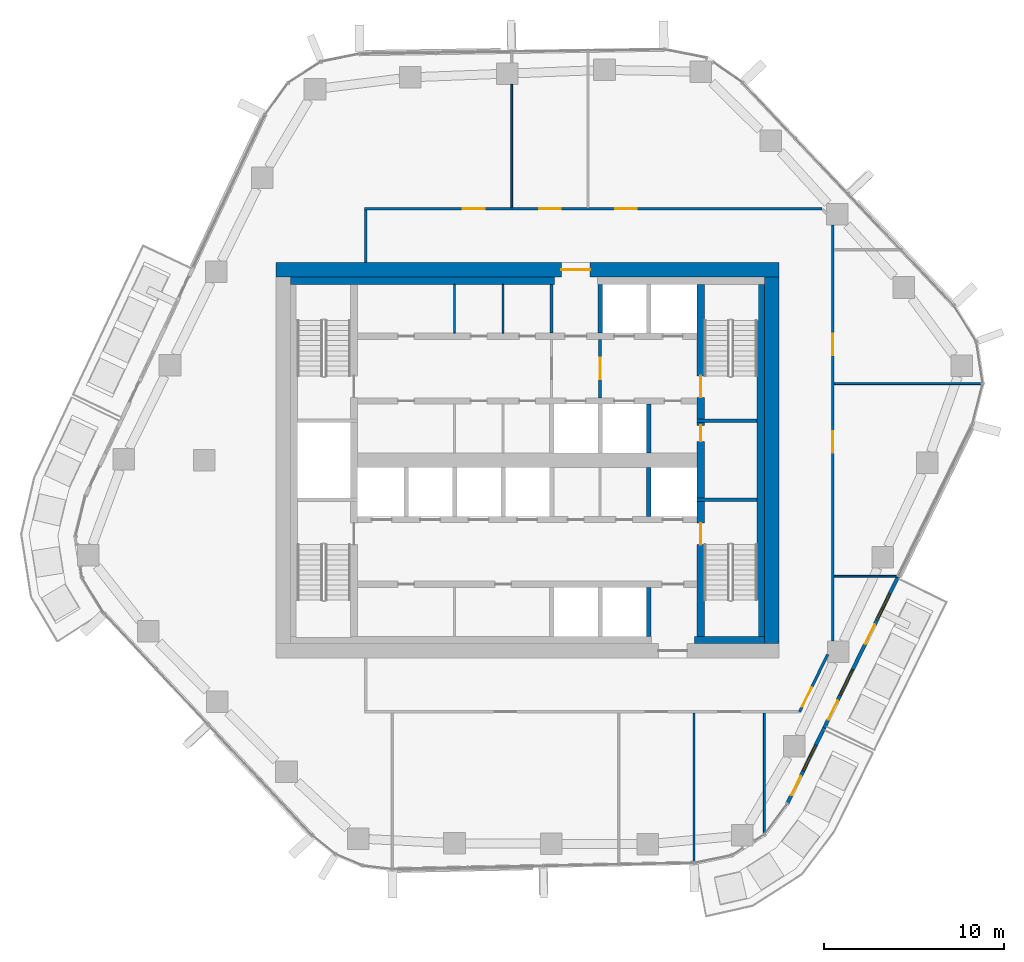
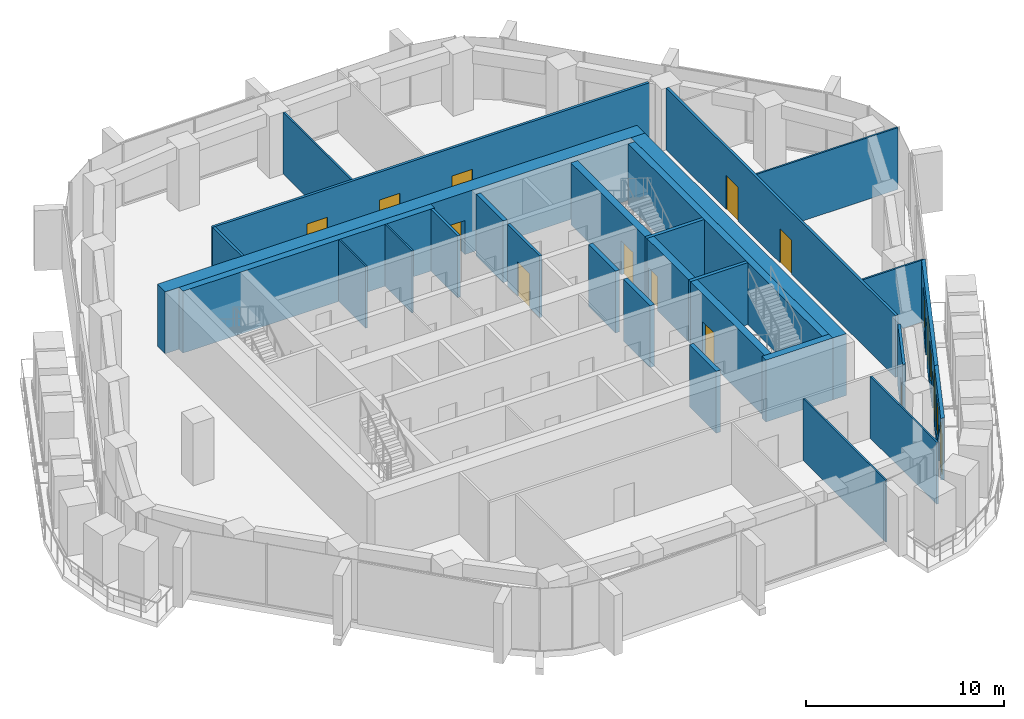
# One storey, part 13 of 18: 29 walls, 14 doors, 3 windows, 17 openings.
"""IFC4 building model written with IfcOpenShell, lengths in metres."""

import ifcopenshell
import ifcopenshell.guid

model = None  # the IFC model being written
_history = None  # IfcOwnerHistory: only IFC2X3 demands one
_inside = {}  # id of a spatial element -> (the spatial element, [elements in it])
_under = {}  # id of a project, library or spatial element -> (it, [spatial elements below it])
_declared = {}  # id of a project -> (the project, [libraries it declares])
_typed = {}  # id of a type object -> (the type object, [elements of that type])
_made_of = {}  # id of a material, layer set ... -> (it, [elements and type objects made of it])


def new_model(schema):
    """Start an empty IFC model of exactly this schema.

    Asked for "IFC4X3", IfcOpenShell would pick the latest addendum, in which some entities
    have other attributes; the version numbers below select the first issue.
    IFC2X3 requires an IfcOwnerHistory on every rooted entity: one is made here for all.
    """
    global model, _history
    if schema == "IFC4X3":
        model = ifcopenshell.file(schema_version=(4, 3, 0, 0))
    else:
        model = ifcopenshell.file(schema=schema)
    _inside.clear()
    _under.clear()
    _declared.clear()
    _typed.clear()
    _made_of.clear()
    _history = None
    if model.schema == "IFC2X3":
        org = make("IfcOrganization", Name="unknown")
        user = make(
            "IfcPersonAndOrganization",
            ThePerson=make("IfcPerson", FamilyName="unknown"),
            TheOrganization=org,
        )
        app = make(
            "IfcApplication",
            ApplicationDeveloper=org,
            Version="unknown",
            ApplicationFullName="unknown",
            ApplicationIdentifier="unknown",
        )
        _history = make(
            "IfcOwnerHistory",
            OwningUser=user,
            OwningApplication=app,
            ChangeAction="ADDED",
            CreationDate=0,
        )
    return model


def make(cls, **values):
    """One entity of the class cls with the attributes given. An attribute that is None is left unset."""
    return model.create_entity(
        cls, **{name: value for name, value in values.items() if value is not None}
    )


def rooted(cls, **values):
    """An entity with a GlobalId (a new one), such as an element, a storey or a relation."""
    return make(cls, GlobalId=ifcopenshell.guid.new(), OwnerHistory=_history, **values)


def si_unit(unit_type, name, prefix=None):
    """IfcSIUnit, for example si_unit("LENGTHUNIT", "METRE", prefix="MILLI")."""
    return make("IfcSIUnit", UnitType=unit_type, Prefix=prefix, Name=name)


def assignment(units):
    """IfcUnitAssignment: the units of a project."""
    return None if units is None else make("IfcUnitAssignment", Units=units)


def point(xyz):
    """IfcCartesianPoint."""
    return None if xyz is None else make("IfcCartesianPoint", Coordinates=xyz)


def direction(xyz):
    """IfcDirection."""
    return None if xyz is None else make("IfcDirection", DirectionRatios=xyz)


def frame(location, z_axis=None, x_axis=None):
    """IfcAxis2Placement3D, a coordinate frame: its origin and axes. An axis left out is left unset."""
    return make(
        "IfcAxis2Placement3D",
        Location=point(location),
        Axis=direction(z_axis),
        RefDirection=direction(x_axis),
    )


def frame_2d(location, x_axis=None):
    """IfcAxis2Placement2D, a coordinate frame in the plane: its origin and x axis."""
    return make(
        "IfcAxis2Placement2D", Location=point(location), RefDirection=direction(x_axis)
    )


def origin():
    """The frame at (0, 0, 0) with its axes left unset."""
    return frame((0.0, 0.0, 0.0))


def place(relative_to, where):
    """IfcLocalPlacement: puts the frame where relative to a parent placement (None: the world)."""
    return make(
        "IfcLocalPlacement", PlacementRelTo=relative_to, RelativePlacement=where
    )


def context(
    kind, dimensions, precision=None, world=None, true_north=None, identifier=None
):
    """IfcGeometricRepresentationContext, for example the 3D "Model" context."""
    return make(
        "IfcGeometricRepresentationContext",
        ContextIdentifier=identifier,
        ContextType=kind,
        CoordinateSpaceDimension=dimensions,
        Precision=precision,
        WorldCoordinateSystem=world,
        TrueNorth=true_north,
    )


def subcontext(parent, identifier, kind, view, scale=None):
    """IfcGeometricRepresentationSubContext, for example "Body" below "Model"."""
    return make(
        "IfcGeometricRepresentationSubContext",
        ContextIdentifier=identifier,
        ContextType=kind,
        ParentContext=parent,
        TargetScale=scale,
        TargetView=view,
    )


def project(units=None, contexts=None):
    """IfcProject with its units and contexts."""
    return rooted(
        "IfcProject",
        Name="project",
        RepresentationContexts=contexts,
        UnitsInContext=assignment(units),
    )


def spatial(cls, under=None, at=None, **own):
    """A site, building, storey or space (cls), placed at a placement, below another one or the project."""
    s = rooted(cls, ObjectPlacement=at, **own)
    if under is not None:
        _under.setdefault(under.id(), (under, []))[1].append(s)
    return s


def profile(cls, at=None, kind="AREA", **sizes):
    """A parametric profile (cls). Its sizes go by their IFC names, for example OverallWidth=200.0."""
    return make(cls, ProfileType=kind, Position=at, **sizes)


def rectangle(**sizes):
    """IfcRectangleProfileDef."""
    return profile("IfcRectangleProfileDef", **sizes)


def extrude(swept, where, along, depth):
    """IfcExtrudedAreaSolid: the profile swept, set in the frame where, extruded along a direction by depth."""
    return make(
        "IfcExtrudedAreaSolid",
        SweptArea=swept,
        Position=where,
        ExtrudedDirection=direction(along),
        Depth=depth,
    )


def shape(context_of_items, identifier, shape_type, items):
    """IfcShapeRepresentation: the items that make up one representation, for example the "Body"."""
    return make(
        "IfcShapeRepresentation",
        ContextOfItems=context_of_items,
        RepresentationIdentifier=identifier,
        RepresentationType=shape_type,
        Items=items,
    )


def material(Name=None, Category=None):
    """IfcMaterial."""
    return make("IfcMaterial", Name=Name, Category=Category)


def layer(
    of_material, thickness, ventilated=None, Name=None, Category=None, Priority=None
):
    """IfcMaterialLayer: one layer of a wall or slab, of a material (None: an air gap)."""
    return make(
        "IfcMaterialLayer",
        Material=of_material,
        LayerThickness=thickness,
        IsVentilated=ventilated,
        Name=Name,
        Category=Category,
        Priority=Priority,
    )


def layer_set(layers, Name=None):
    """IfcMaterialLayerSet."""
    return make("IfcMaterialLayerSet", MaterialLayers=layers, LayerSetName=Name)


def made_of(thing, what):
    """Note that an element or type object is made of a material, layer set ...; save() writes the relation."""
    if what is not None:
        _made_of.setdefault(what.id(), (what, []))[1].append(thing)
    return thing


def type_object(cls, material=None, **own):
    """A type object (cls), such as IfcWallType, which elements share."""
    return made_of(rooted(cls, **own), material)


def element(
    cls,
    number,
    at=None,
    inside=None,
    cuts=None,
    type_object=None,
    material=None,
    context=None,
    identifier="Body",
    shape_type=None,
    held_by="IfcProductDefinitionShape",
    body=None,
    shapes=None,
    **own,
):
    """One element of the class cls, such as IfcWall. Its Tag is "e" and its number.

    at: its placement. inside: the storey or other place that contains it. cuts: it is an
    opening in that element (IfcRelVoidsElement). A single representation is given by context,
    identifier, shape_type and body (its items); several are given by shapes. held_by: the class
    of the entity that holds the representations. save() writes the other relations.
    """
    e = rooted(cls, Tag="e%d" % number, ObjectPlacement=at, **own)
    if body is not None:
        shapes = [shape(context, identifier, shape_type, body)]
    if shapes is not None:
        e.Representation = make(held_by, Representations=shapes)
    if inside is not None:
        _inside.setdefault(inside.id(), (inside, []))[1].append(e)
    if cuts is not None:
        rooted(
            "IfcRelVoidsElement", RelatingBuildingElement=cuts, RelatedOpeningElement=e
        )
    if type_object is not None:
        _typed.setdefault(type_object.id(), (type_object, []))[1].append(e)
    return made_of(e, material)


def fill(opening, filler):
    """IfcRelFillsElement: the door or window that sits in an opening."""
    return rooted(
        "IfcRelFillsElement",
        RelatingOpeningElement=opening,
        RelatedBuildingElement=filler,
    )


def aggregate(whole, parts):
    """IfcRelAggregates: a whole, such as a stair, and the parts it consists of."""
    return rooted("IfcRelAggregates", RelatingObject=whole, RelatedObjects=parts)


def save(model, path):
    """Write the relations noted so far, then the file.

    IfcRelAggregates (storeys below a building ...), IfcRelContainedInSpatialStructure (elements
    in a storey), IfcRelDefinesByType, IfcRelAssociatesMaterial and IfcRelDeclares: one each for
    every whole, place, type object, material and project.
    """
    for whole, parts in _under.values():
        aggregate(whole, parts)
    for where, things in _inside.values():
        rooted(
            "IfcRelContainedInSpatialStructure",
            RelatedElements=things,
            RelatingStructure=where,
        )
    for kind, things in _typed.values():
        rooted("IfcRelDefinesByType", RelatedObjects=things, RelatingType=kind)
    for what, things in _made_of.values():
        rooted("IfcRelAssociatesMaterial", RelatedObjects=things, RelatingMaterial=what)
    for by, libraries in _declared.values():
        rooted("IfcRelDeclares", RelatingContext=by, RelatedDefinitions=libraries)
    model.write(path)


model = new_model("IFC4")

# Units and contexts
model_context = context("Model", 3, precision=1e-05, world=origin(), true_north=direction((0.0, 1.0)))
body_context = subcontext(model_context, "Body", "Model", "MODEL_VIEW")
ifc_project = project(units=[si_unit("LENGTHUNIT", "METRE"), si_unit("AREAUNIT", "SQUARE_METRE"), si_unit("VOLUMEUNIT", "CUBIC_METRE"), si_unit("PLANEANGLEUNIT", "RADIAN"), si_unit("MASSUNIT", "GRAM", prefix="KILO")], contexts=[model_context])

# Site, building, storey
site_placement = place(None, origin())
site = spatial("IfcSite", under=ifc_project, at=site_placement, CompositionType="ELEMENT")
building_placement = place(site_placement, origin())
building = spatial("IfcBuilding", under=site, at=building_placement, Name="Dongbaek Canopy Tower", CompositionType="ELEMENT")
storey_placement = place(building_placement, frame((0.0, 0.0, 162.800048828125)))
storey = spatial("IfcBuildingStorey", under=building, at=storey_placement, Name="L35", CompositionType="ELEMENT", Elevation=162.800048828125)

# Wall, opening, door
ifc_material_1 = material(Name="Concrete C70/85", Category="concrete")
ifc_layer_1 = layer(ifc_material_1, 0.800048828125)
ifc_layer_set_1 = layer_set([ifc_layer_1], Name="Core outer wall 800 Concrete C70/85")
wall_type_1 = type_object("IfcWallType", Name="Core outer wall 800 Concrete C70/85", PredefinedType="SHEAR", material=ifc_layer_set_1)
wall_1_placement = place(storey_placement, frame((-14.0, 10.60009765625, 0.0), z_axis=(0.0, 0.0, 1.0), x_axis=(1.0, 0.0, 0.0)))
wall_1 = element("IfcWall", 1, at=wall_1_placement, inside=storey, type_object=wall_type_1, Name="Core wall", PredefinedType="SHEAR", context=body_context, shape_type="SweptSolid", body=[
    extrude(rectangle(XDim=28.0, YDim=0.800048828125, at=frame_2d((14.0, 0.0))), origin(), (0.0, 0.0, 1.0), 3.820068359375),
])
opening_1_placement = place(wall_1_placement, frame((15.89990234375, 0.0, 0.0)))
opening_1 = element("IfcOpeningElement", 2, at=opening_1_placement, cuts=wall_1, Name="Opening L35-D011", PredefinedType="OPENING", context=body_context, shape_type="SweptSolid", body=[
    extrude(rectangle(XDim=1.60009765625, YDim=2.10009765625, at=frame_2d((0.800048828125, 1.050048828125))), frame((0.0, 0.409912109375, 0.0), z_axis=(0.0, -1.0, 0.0), x_axis=(1.0, 0.0, 0.0)), (0.0, 0.0, 1.0), 0.820068359375),
])
ifc_material_2 = material(Name="Steel", Category="steel")
door_type_1 = type_object("IfcDoorType", Name="Core exit door 1600 x 2100", OperationType="DOUBLE_DOOR_SINGLE_SWING", PredefinedType="DOOR", material=ifc_material_2)
door_1_placement = place(opening_1_placement, origin())
door_1 = element("IfcDoor", 3, at=door_1_placement, inside=storey, type_object=door_type_1, Name="Core exit door", OperationType="DOUBLE_DOOR_SINGLE_SWING", OverallHeight=2.10009765625, OverallWidth=1.60009765625, PredefinedType="DOOR", context=body_context, shape_type="SweptSolid", body=[
    extrude(rectangle(XDim=1.60009765625, YDim=2.10009765625, at=frame_2d((0.800048828125, 1.050048828125))), frame((0.0, 0.02490234375, 0.0), z_axis=(0.0, -1.0, 0.0), x_axis=(1.0, 0.0, 0.0)), (0.0, 0.0, 1.0), 0.050048828125),
])
fill(opening_1, door_1)

# Walls
wall_2_placement = place(storey_placement, frame((13.60009765625, 10.199951171875, 0.0), z_axis=(0.0, 0.0, 1.0), x_axis=(0.0, -1.0, 0.0)))
element("IfcWall", 4, at=wall_2_placement, inside=storey, type_object=wall_type_1, Name="Core wall", PredefinedType="SHEAR", context=body_context, shape_type="SweptSolid", body=[
    extrude(rectangle(XDim=20.39990234375, YDim=0.800048828125, at=frame_2d((10.199951171875, 0.0))), origin(), (0.0, 0.0, 1.0), 3.820068359375),
])
ifc_material_3 = material(Name="Concrete C60/75", Category="concrete")
ifc_layer_2 = layer(ifc_material_3, 0.39990234375)
ifc_layer_set_2 = layer_set([ifc_layer_2], Name="Core wall lining 400 Concrete C60/75")
wall_type_2 = type_object("IfcWallType", Name="Core wall lining 400 Concrete C60/75", PredefinedType="SHEAR", material=ifc_layer_set_2)
wall_3_placement = place(storey_placement, frame((-13.199951171875, 10.0, 0.0), z_axis=(0.0, 0.0, 1.0), x_axis=(1.0, 0.0, 0.0)))
element("IfcWall", 5, at=wall_3_placement, inside=storey, type_object=wall_type_2, Name="Core wall lining", PredefinedType="SHEAR", context=body_context, shape_type="SweptSolid", body=[
    extrude(rectangle(XDim=14.699951171875, YDim=0.39990234375, at=frame_2d((7.35009765625, 0.0))), origin(), (0.0, 0.0, 1.0), 3.820068359375),
])
wall_4_placement = place(storey_placement, frame((13.199951171875, -10.0, 0.0), z_axis=(0.0, 0.0, 1.0), x_axis=(-1.0, 0.0, 0.0)))
element("IfcWall", 6, at=wall_4_placement, inside=storey, type_object=wall_type_2, Name="Core wall lining", PredefinedType="SHEAR", context=body_context, shape_type="SweptSolid", body=[
    extrude(rectangle(XDim=3.89990234375, YDim=0.39990234375, at=frame_2d((1.949951171875, 0.0))), origin(), (0.0, 0.0, 1.0), 3.820068359375),
])
wall_5_placement = place(storey_placement, frame((13.0, 9.800048828125, 0.0), z_axis=(0.0, 0.0, 1.0), x_axis=(0.0, -1.0, 0.0)))
element("IfcWall", 7, at=wall_5_placement, inside=storey, type_object=wall_type_2, Name="Core wall lining", PredefinedType="SHEAR", context=body_context, shape_type="SweptSolid", body=[
    extrude(rectangle(XDim=19.60009765625, YDim=0.39990234375, at=frame_2d((9.800048828125, 0.0))), origin(), (0.0, 0.0, 1.0), 3.820068359375),
])

# Wall, openings, doors
ifc_material_4 = material(Name="Gypsum board partition, steel stud, 2 x 15 mm fire board", Category="steel")
ifc_layer_3 = layer(ifc_material_4, 0.14990234375)
ifc_layer_set_3 = layer_set([ifc_layer_3], Name="Fire-rated partition 150 gypsum board")
wall_type_3 = type_object("IfcWallType", Name="Fire-rated partition 150 gypsum board", PredefinedType="PARTITIONING", material=ifc_layer_set_3)
wall_6_placement = place(storey_placement, frame((-9.074951171875, 14.0, 0.0), z_axis=(0.0, 0.0, 1.0), x_axis=(1.0, 0.0, 0.0)))
wall_6 = element("IfcWall", 8, at=wall_6_placement, inside=storey, type_object=wall_type_3, Name="Corridor partition", PredefinedType="PARTITIONING", context=body_context, shape_type="SweptSolid", body=[
    extrude(rectangle(XDim=25.489013671875, YDim=0.14990234375, at=frame_2d((12.74462890625, 0.0))), origin(), (0.0, 0.0, 1.0), 3.820068359375),
])
opening_2_placement = place(wall_6_placement, frame((13.965087890625, 0.0, 0.0)))
opening_2 = element("IfcOpeningElement", 9, at=opening_2_placement, cuts=wall_6, Name="Opening L35-D007", PredefinedType="OPENING", context=body_context, shape_type="SweptSolid", body=[
    extrude(rectangle(XDim=1.199951171875, YDim=2.10009765625, at=frame_2d((0.60009765625, 1.050048828125))), frame((0.0, 0.0849609375, 0.0), z_axis=(0.0, -1.0, 0.0), x_axis=(1.0, 0.0, 0.0)), (0.0, 0.0, 1.0), 0.169921875),
])
opening_3_placement = place(wall_6_placement, frame((9.73046875, 0.0, 0.0)))
opening_3 = element("IfcOpeningElement", 10, at=opening_3_placement, cuts=wall_6, Name="Opening L35-D008", PredefinedType="OPENING", context=body_context, shape_type="SweptSolid", body=[
    extrude(rectangle(XDim=1.199951171875, YDim=2.10009765625, at=frame_2d((0.60009765625, 1.050048828125))), frame((0.0, 0.0849609375, 0.0), z_axis=(0.0, -1.0, 0.0), x_axis=(1.0, 0.0, 0.0)), (0.0, 0.0, 1.0), 0.169921875),
])
opening_4_placement = place(wall_6_placement, frame((5.490478515625, 0.0, 0.0)))
opening_4 = element("IfcOpeningElement", 11, at=opening_4_placement, cuts=wall_6, Name="Opening L35-D009", PredefinedType="OPENING", context=body_context, shape_type="SweptSolid", body=[
    extrude(rectangle(XDim=1.199951171875, YDim=2.10009765625, at=frame_2d((0.60009765625, 1.050048828125))), frame((0.0, 0.0849609375, 0.0), z_axis=(0.0, -1.0, 0.0), x_axis=(1.0, 0.0, 0.0)), (0.0, 0.0, 1.0), 0.169921875),
])
ifc_material_5 = material(Name="Timber veneered door leaf", Category="wood")
door_type_2 = type_object("IfcDoorType", Name="Room door 1200 x 2100", OperationType="SINGLE_SWING_LEFT", PredefinedType="DOOR", material=ifc_material_5)
door_2_placement = place(opening_2_placement, origin())
door_2 = element("IfcDoor", 12, at=door_2_placement, inside=storey, type_object=door_type_2, Name="Door L35-D007", OperationType="SINGLE_SWING_RIGHT", OverallHeight=2.10009765625, OverallWidth=1.199951171875, PredefinedType="DOOR", context=body_context, shape_type="SweptSolid", body=[
    extrude(rectangle(XDim=1.199951171875, YDim=2.10009765625, at=frame_2d((0.60009765625, 1.050048828125))), frame((0.0, 0.02490234375, 0.0), z_axis=(0.0, -1.0, 0.0), x_axis=(1.0, 0.0, 0.0)), (0.0, 0.0, 1.0), 0.050048828125),
])
fill(opening_2, door_2)
door_3_placement = place(opening_3_placement, origin())
door_3 = element("IfcDoor", 13, at=door_3_placement, inside=storey, type_object=door_type_2, Name="Door L35-D008", OperationType="SINGLE_SWING_LEFT", OverallHeight=2.10009765625, OverallWidth=1.199951171875, PredefinedType="DOOR", context=body_context, shape_type="SweptSolid", body=[
    extrude(rectangle(XDim=1.199951171875, YDim=2.10009765625, at=frame_2d((0.60009765625, 1.050048828125))), frame((0.0, 0.02490234375, 0.0), z_axis=(0.0, -1.0, 0.0), x_axis=(1.0, 0.0, 0.0)), (0.0, 0.0, 1.0), 0.050048828125),
])
fill(opening_3, door_3)
door_4_placement = place(opening_4_placement, origin())
door_4 = element("IfcDoor", 14, at=door_4_placement, inside=storey, type_object=door_type_2, Name="Door L35-D009", OperationType="SINGLE_SWING_RIGHT", OverallHeight=2.10009765625, OverallWidth=1.199951171875, PredefinedType="DOOR", context=body_context, shape_type="SweptSolid", body=[
    extrude(rectangle(XDim=1.199951171875, YDim=2.10009765625, at=frame_2d((0.60009765625, 1.050048828125))), frame((0.0, 0.02490234375, 0.0), z_axis=(0.0, -1.0, 0.0), x_axis=(1.0, 0.0, 0.0)), (0.0, 0.0, 1.0), 0.050048828125),
])
fill(opening_4, door_4)

# Wall, opening, door
wall_7_placement = place(storey_placement, frame((16.721923828125, -10.809326171875, 0.0), z_axis=(0.0, 0.0, 1.0), x_axis=(-0.438666135365, -0.898650110824, 0.0)))
wall_7 = element("IfcWall", 15, at=wall_7_placement, inside=storey, type_object=wall_type_3, Name="Corridor partition", PredefinedType="PARTITIONING", context=body_context, shape_type="SweptSolid", body=[
    extrude(rectangle(XDim=3.55029296875, YDim=0.14990234375, at=frame_2d((1.775146484375, 0.0))), origin(), (0.0, 0.0, 1.0), 3.820068359375),
])
opening_5_placement = place(wall_7_placement, frame((2.038330078125, 0.0, 0.0)))
opening_5 = element("IfcOpeningElement", 16, at=opening_5_placement, cuts=wall_7, Name="Opening L35-D004", PredefinedType="OPENING", context=body_context, shape_type="SweptSolid", body=[
    extrude(rectangle(XDim=1.199951171875, YDim=2.10009765625, at=frame_2d((0.60009765625, 1.050048828125))), frame((0.0, 0.0849609375, 0.0), z_axis=(0.0, -1.0, 0.0), x_axis=(1.0, 0.0, 0.0)), (0.0, 0.0, 1.0), 0.169921875),
])
door_5_placement = place(opening_5_placement, origin())
door_5 = element("IfcDoor", 17, at=door_5_placement, inside=storey, type_object=door_type_2, Name="Door L35-D004", OperationType="SINGLE_SWING_LEFT", OverallHeight=2.10009765625, OverallWidth=1.199951171875, PredefinedType="DOOR", context=body_context, shape_type="SweptSolid", body=[
    extrude(rectangle(XDim=1.199951171875, YDim=2.10009765625, at=frame_2d((0.60009765625, 1.050048828125))), frame((0.0, 0.02490234375, 0.0), z_axis=(0.0, -1.0, 0.0), x_axis=(1.0, 0.0, 0.0)), (0.0, 0.0, 1.0), 0.050048828125),
])
fill(opening_5, door_5)

# Wall, openings, doors
wall_8_placement = place(storey_placement, frame((17.0, 13.10595703125, 0.0), z_axis=(0.0, 0.0, 1.0), x_axis=(0.0, -1.0, 0.0)))
wall_8 = element("IfcWall", 18, at=wall_8_placement, inside=storey, type_object=wall_type_3, Name="Corridor partition", PredefinedType="PARTITIONING", context=body_context, shape_type="SweptSolid", body=[
    extrude(rectangle(XDim=23.171875, YDim=0.14990234375, at=frame_2d((11.5859375, 0.0))), origin(), (0.0, 0.0, 1.0), 3.820068359375),
])
opening_6_placement = place(wall_8_placement, frame((11.491943359375, 0.0, 0.0)))
opening_6 = element("IfcOpeningElement", 19, at=opening_6_placement, cuts=wall_8, Name="Opening L35-D005", PredefinedType="OPENING", context=body_context, shape_type="SweptSolid", body=[
    extrude(rectangle(XDim=1.199951171875, YDim=2.10009765625, at=frame_2d((0.60009765625, 1.050048828125))), frame((0.0, 0.0849609375, 0.0), z_axis=(0.0, -1.0, 0.0), x_axis=(1.0, 0.0, 0.0)), (0.0, 0.0, 1.0), 0.169921875),
])
opening_7_placement = place(wall_8_placement, frame((6.056396484375, 0.0, 0.0)))
opening_7 = element("IfcOpeningElement", 20, at=opening_7_placement, cuts=wall_8, Name="Opening L35-D006", PredefinedType="OPENING", context=body_context, shape_type="SweptSolid", body=[
    extrude(rectangle(XDim=1.199951171875, YDim=2.10009765625, at=frame_2d((0.60009765625, 1.050048828125))), frame((0.0, 0.0849609375, 0.0), z_axis=(0.0, -1.0, 0.0), x_axis=(1.0, 0.0, 0.0)), (0.0, 0.0, 1.0), 0.169921875),
])
door_6_placement = place(opening_6_placement, origin())
door_6 = element("IfcDoor", 21, at=door_6_placement, inside=storey, type_object=door_type_2, Name="Door L35-D005", OperationType="SINGLE_SWING_RIGHT", OverallHeight=2.10009765625, OverallWidth=1.199951171875, PredefinedType="DOOR", context=body_context, shape_type="SweptSolid", body=[
    extrude(rectangle(XDim=1.199951171875, YDim=2.10009765625, at=frame_2d((0.60009765625, 1.050048828125))), frame((0.0, 0.02490234375, 0.0), z_axis=(0.0, -1.0, 0.0), x_axis=(1.0, 0.0, 0.0)), (0.0, 0.0, 1.0), 0.050048828125),
])
fill(opening_6, door_6)
door_7_placement = place(opening_7_placement, origin())
door_7 = element("IfcDoor", 22, at=door_7_placement, inside=storey, type_object=door_type_2, Name="Door L35-D006", OperationType="SINGLE_SWING_LEFT", OverallHeight=2.10009765625, OverallWidth=1.199951171875, PredefinedType="DOOR", context=body_context, shape_type="SweptSolid", body=[
    extrude(rectangle(XDim=1.199951171875, YDim=2.10009765625, at=frame_2d((0.60009765625, 1.050048828125))), frame((0.0, 0.02490234375, 0.0), z_axis=(0.0, -1.0, 0.0), x_axis=(1.0, 0.0, 0.0)), (0.0, 0.0, 1.0), 0.050048828125),
])
fill(opening_7, door_7)

# Wall
wall_9_placement = place(storey_placement, frame((-9.0, 11.0, 0.0), z_axis=(0.0, 0.0, 1.0), x_axis=(0.0, 1.0, 0.0)))
element("IfcWall", 23, at=wall_9_placement, inside=storey, type_object=wall_type_3, Name="Corridor partition", PredefinedType="PARTITIONING", context=body_context, shape_type="SweptSolid", body=[
    extrude(rectangle(XDim=2.925048828125, YDim=0.14990234375, at=frame_2d((1.46240234375, 0.0))), origin(), (0.0, 0.0, 1.0), 3.820068359375),
])

# Wall, opening, door
wall_10_placement = place(storey_placement, frame((4.050048828125, 6.72509765625, 0.0), z_axis=(0.0, 0.0, 1.0), x_axis=(0.0, -1.0, 0.0)))
wall_10 = element("IfcWall", 24, at=wall_10_placement, inside=storey, type_object=wall_type_3, Name="Fire lobby partition", PredefinedType="PARTITIONING", context=body_context, shape_type="SweptSolid", body=[
    extrude(rectangle(XDim=3.25, YDim=0.14990234375, at=frame_2d((1.625, 0.0))), origin(), (0.0, 0.0, 1.0), 3.820068359375),
])
opening_8_placement = place(wall_10_placement, frame((1.02490234375, 0.0, 0.0)))
opening_8 = element("IfcOpeningElement", 25, at=opening_8_placement, cuts=wall_10, Name="Opening L35-D040", PredefinedType="OPENING", context=body_context, shape_type="SweptSolid", body=[
    extrude(rectangle(XDim=1.199951171875, YDim=2.10009765625, at=frame_2d((0.60009765625, 1.050048828125))), frame((0.0, 0.0849609375, 0.0), z_axis=(0.0, -1.0, 0.0), x_axis=(1.0, 0.0, 0.0)), (0.0, 0.0, 1.0), 0.169921875),
])
ifc_material_6 = material(Name="Steel", Category="steel")
door_type_3 = type_object("IfcDoorType", Name="Fire lobby door 1200 x 2100", OperationType="SINGLE_SWING_LEFT", PredefinedType="DOOR", material=ifc_material_6)
door_8_placement = place(opening_8_placement, origin())
door_8 = element("IfcDoor", 26, at=door_8_placement, inside=storey, type_object=door_type_3, Name="Door L35-D040", OperationType="SINGLE_SWING_RIGHT", OverallHeight=2.10009765625, OverallWidth=1.199951171875, PredefinedType="DOOR", context=body_context, shape_type="SweptSolid", body=[
    extrude(rectangle(XDim=1.199951171875, YDim=2.10009765625, at=frame_2d((0.60009765625, 1.050048828125))), frame((0.0, 0.02490234375, 0.0), z_axis=(0.0, -1.0, 0.0), x_axis=(1.0, 0.0, 0.0)), (0.0, 0.0, 1.0), 0.050048828125),
])
fill(opening_8, door_8)

# Walls
wall_11_placement = place(storey_placement, frame((1.35009765625, 7.074951171875, 0.0), z_axis=(0.0, 0.0, 1.0), x_axis=(0.0, 1.0, 0.0)))
element("IfcWall", 27, at=wall_11_placement, inside=storey, type_object=wall_type_3, Name="Fire lobby partition", PredefinedType="PARTITIONING", context=body_context, shape_type="SweptSolid", body=[
    extrude(rectangle(XDim=2.72509765625, YDim=0.14990234375, at=frame_2d((1.362548828125, 0.0))), origin(), (0.0, 0.0, 1.0), 3.820068359375),
])
ifc_material_7 = material(Name="Concrete C40/50", Category="concrete")
ifc_layer_4 = layer(ifc_material_7, 0.25)
ifc_layer_set_4 = layer_set([ifc_layer_4], Name="Lift shaft wall 250 Concrete C40/50")
wall_type_4 = type_object("IfcWallType", Name="Lift shaft wall 250 Concrete C40/50", PredefinedType="SOLIDWALL", material=ifc_layer_set_4)
for number, where, z_axis, x_axis, name in (
    (28, (6.75, -9.800048828125, 0.0), (0.0, 0.0, 1.0), (0.0, 1.0, 0.0), "Lift shaft wall"),
    (29, (6.75, -3.125, 0.0), (0.0, 0.0, 1.0), (0.0, 1.0, 0.0), "Lift shaft wall"),
    (30, (6.75, 0.39990234375, 0.0), (0.0, 0.0, 1.0), (0.0, 1.0, 0.0), "Lift shaft wall"),
    (31, (4.050048828125, 7.074951171875, 0.0), (0.0, 0.0, 1.0), (0.0, 1.0, 0.0), "Lift shaft wall"),
):
    element("IfcWall", number, at=place(storey_placement, frame(where, z_axis=z_axis, x_axis=x_axis)), inside=storey, type_object=wall_type_4, Name=name, PredefinedType="SOLIDWALL", context=body_context, shape_type="SweptSolid", body=[
        extrude(rectangle(XDim=2.72509765625, YDim=0.25, at=frame_2d((1.362548828125, 0.0))), origin(), (0.0, 0.0, 1.0), 3.820068359375),
    ])
ifc_material_8 = material(Name="Gypsum board partition, steel stud, 2 x 12.5 mm board", Category="steel")
ifc_layer_5 = layer(ifc_material_8, 0.10009765625)
ifc_layer_set_5 = layer_set([ifc_layer_5], Name="Partition 100 gypsum board")
wall_type_5 = type_object("IfcWallType", Name="Partition 100 gypsum board", PredefinedType="PARTITIONING", material=ifc_layer_set_5)
wall_12_placement = place(storey_placement, frame((17.074951171875, -6.4580078125, 0.0), z_axis=(0.0, 0.0, 1.0), x_axis=(1.0, 0.0, 0.0)))
element("IfcWall", 32, at=wall_12_placement, inside=storey, type_object=wall_type_5, Name="Partition", PredefinedType="PARTITIONING", context=body_context, shape_type="SweptSolid", body=[
    extrude(rectangle(XDim=3.552001953125, YDim=0.10009765625, at=frame_2d((1.77587890625, 0.0))), origin(), (0.0, 0.0, 1.0), 3.820068359375),
])
wall_13_placement = place(storey_placement, frame((17.074951171875, 4.26904296875, 0.0), z_axis=(0.0, 0.0, 1.0), x_axis=(1.0, 0.0, 0.0)))
element("IfcWall", 33, at=wall_13_placement, inside=storey, type_object=wall_type_5, Name="Partition", PredefinedType="PARTITIONING", context=body_context, shape_type="SweptSolid", body=[
    extrude(rectangle(XDim=8.258544921875, YDim=0.10009765625, at=frame_2d((4.12939453125, 0.0))), origin(), (0.0, 0.0, 1.0), 3.820068359375),
])
wall_14_placement = place(storey_placement, frame((13.197998046875, -20.79638671875, 0.0), z_axis=(0.0, 0.0, 1.0), x_axis=(0.0, 1.0, 0.0)))
element("IfcWall", 34, at=wall_14_placement, inside=storey, type_object=wall_type_5, Name="Partition", PredefinedType="PARTITIONING", context=body_context, shape_type="SweptSolid", body=[
    extrude(rectangle(XDim=6.721435546875, YDim=0.10009765625, at=frame_2d((3.36083984375, 0.0))), origin(), (0.0, 0.0, 1.0), 3.820068359375),
])
wall_15_placement = place(storey_placement, frame((9.283935546875, -22.39794921875, 0.0), z_axis=(0.0, 0.0, 1.0), x_axis=(0.0, 1.0, 0.0)))
element("IfcWall", 35, at=wall_15_placement, inside=storey, type_object=wall_type_5, Name="Partition", PredefinedType="PARTITIONING", context=body_context, shape_type="SweptSolid", body=[
    extrude(rectangle(XDim=8.322998046875, YDim=0.10009765625, at=frame_2d((4.16162109375, 0.0))), origin(), (0.0, 0.0, 1.0), 3.820068359375),
])
wall_16_placement = place(storey_placement, frame((-0.864990234375, 14.074951171875, 0.0), z_axis=(0.0, 0.0, 1.0), x_axis=(0.0, 1.0, 0.0)))
element("IfcWall", 36, at=wall_16_placement, inside=storey, type_object=wall_type_5, Name="Partition", PredefinedType="PARTITIONING", context=body_context, shape_type="SweptSolid", body=[
    extrude(rectangle(XDim=6.85498046875, YDim=0.10009765625, at=frame_2d((3.427490234375, 0.0))), origin(), (0.0, 0.0, 1.0), 3.820068359375),
])
for number, where, z_axis, x_axis, name in (
    (37, (-1.35009765625, 7.074951171875, 0.0), (0.0, 0.0, 1.0), (0.0, 1.0, 0.0), "Core partition"),
    (38, (-4.050048828125, 7.074951171875, 0.0), (0.0, 0.0, 1.0), (0.0, 1.0, 0.0), "Core partition"),
):
    element("IfcWall", number, at=place(storey_placement, frame(where, z_axis=z_axis, x_axis=x_axis)), inside=storey, type_object=wall_type_5, Name=name, PredefinedType="PARTITIONING", context=body_context, shape_type="SweptSolid", body=[
        extrude(rectangle(XDim=2.72509765625, YDim=0.10009765625, at=frame_2d((1.362548828125, 0.0))), origin(), (0.0, 0.0, 1.0), 3.820068359375),
    ])
ifc_material_9 = material(Name="Concrete C60/75", Category="concrete")
ifc_layer_6 = layer(ifc_material_9, 0.199951171875)
ifc_layer_set_6 = layer_set([ifc_layer_6], Name="Riser wall 200 Concrete C60/75")
wall_type_6 = type_object("IfcWallType", Name="Riser wall 200 Concrete C60/75", PredefinedType="SHEAR", material=ifc_layer_set_6)
for number, where, z_axis, x_axis, name in (
    (39, (9.449951171875, 2.199951171875, 0.0), (0.0, 0.0, 1.0), (1.0, 0.0, 0.0), "Riser wall"),
    (40, (9.449951171875, -2.199951171875, 0.0), (0.0, 0.0, 1.0), (1.0, 0.0, 0.0), "Riser wall"),
):
    element("IfcWall", number, at=place(storey_placement, frame(where, z_axis=z_axis, x_axis=x_axis)), inside=storey, type_object=wall_type_6, Name=name, PredefinedType="SHEAR", context=body_context, shape_type="SweptSolid", body=[
        extrude(rectangle(XDim=3.35009765625, YDim=0.199951171875, at=frame_2d((1.675048828125, 0.0))), origin(), (0.0, 0.0, 1.0), 3.820068359375),
    ])

# Wall, opening, door
ifc_material_10 = material(Name="Concrete C60/75", Category="concrete")
ifc_layer_7 = layer(ifc_material_10, 0.39990234375)
ifc_layer_set_7 = layer_set([ifc_layer_7], Name="Stair wall 400 Concrete C60/75")
wall_type_7 = type_object("IfcWallType", Name="Stair wall 400 Concrete C60/75", PredefinedType="SHEAR", material=ifc_layer_set_7)
wall_17_placement = place(storey_placement, frame((9.64990234375, -2.300048828125, 0.0), z_axis=(0.0, 0.0, 1.0), x_axis=(0.0, -1.0, 0.0)))
wall_17 = element("IfcWall", 41, at=wall_17_placement, inside=storey, type_object=wall_type_7, Name="Stair wall", PredefinedType="SHEAR", context=body_context, shape_type="SweptSolid", body=[
    extrude(rectangle(XDim=7.5, YDim=0.39990234375, at=frame_2d((3.75, 0.0))), origin(), (0.0, 0.0, 1.0), 3.820068359375),
])
opening_9_placement = place(wall_17_placement, frame((1.199951171875, 0.0, 0.0)))
opening_9 = element("IfcOpeningElement", 42, at=opening_9_placement, cuts=wall_17, Name="Opening L35-D037", PredefinedType="OPENING", context=body_context, shape_type="SweptSolid", body=[
    extrude(rectangle(XDim=1.199951171875, YDim=2.10009765625, at=frame_2d((0.60009765625, 1.050048828125))), frame((0.0, 0.2099609375, 0.0), z_axis=(0.0, -1.0, 0.0), x_axis=(1.0, 0.0, 0.0)), (0.0, 0.0, 1.0), 0.419921875),
])
ifc_material_11 = material(Name="Steel", Category="steel")
door_type_4 = type_object("IfcDoorType", Name="Stair door 1200 x 2100", OperationType="SINGLE_SWING_LEFT", PredefinedType="DOOR", material=ifc_material_11)
door_9_placement = place(opening_9_placement, origin())
door_9 = element("IfcDoor", 43, at=door_9_placement, inside=storey, type_object=door_type_4, Name="Stair B door", OperationType="SINGLE_SWING_RIGHT", OverallHeight=2.10009765625, OverallWidth=1.199951171875, PredefinedType="DOOR", context=body_context, shape_type="SweptSolid", body=[
    extrude(rectangle(XDim=1.199951171875, YDim=2.10009765625, at=frame_2d((0.60009765625, 1.050048828125))), frame((0.0, 0.02490234375, 0.0), z_axis=(0.0, -1.0, 0.0), x_axis=(1.0, 0.0, 0.0)), (0.0, 0.0, 1.0), 0.050048828125),
])
fill(opening_9, door_9)

wall_18_placement = place(storey_placement, frame((9.64990234375, 2.10009765625, 0.0), z_axis=(0.0, 0.0, 1.0), x_axis=(0.0, -1.0, 0.0)))
wall_18 = element("IfcWall", 44, at=wall_18_placement, inside=storey, type_object=wall_type_7, Name="Stair wall", PredefinedType="SHEAR", context=body_context, shape_type="SweptSolid", body=[
    extrude(rectangle(XDim=4.2001953125, YDim=0.39990234375, at=frame_2d((2.10009765625, 0.0))), origin(), (0.0, 0.0, 1.0), 3.820068359375),
])
opening_10_placement = place(wall_18_placement, frame((0.14990234375, 0.0, 0.0)))
opening_10 = element("IfcOpeningElement", 45, at=opening_10_placement, cuts=wall_18, Name="Opening L35-D010", PredefinedType="OPENING", context=body_context, shape_type="SweptSolid", body=[
    extrude(rectangle(XDim=0.89990234375, YDim=2.10009765625, at=frame_2d((0.449951171875, 1.050048828125))), frame((0.0, 0.2099609375, 0.0), z_axis=(0.0, -1.0, 0.0), x_axis=(1.0, 0.0, 0.0)), (0.0, 0.0, 1.0), 0.419921875),
])
ifc_material_12 = material(Name="Steel", Category="steel")
door_type_5 = type_object("IfcDoorType", Name="Core room door 900 x 2100", OperationType="SINGLE_SWING_LEFT", PredefinedType="DOOR", material=ifc_material_12)
door_10_placement = place(opening_10_placement, origin())
door_10 = element("IfcDoor", 46, at=door_10_placement, inside=storey, type_object=door_type_5, Name="Door L35-D010", OperationType="SINGLE_SWING_RIGHT", OverallHeight=2.10009765625, OverallWidth=0.89990234375, PredefinedType="DOOR", context=body_context, shape_type="SweptSolid", body=[
    extrude(rectangle(XDim=0.89990234375, YDim=2.10009765625, at=frame_2d((0.449951171875, 1.050048828125))), frame((0.0, 0.02490234375, 0.0), z_axis=(0.0, -1.0, 0.0), x_axis=(1.0, 0.0, 0.0)), (0.0, 0.0, 1.0), 0.050048828125),
])
fill(opening_10, door_10)

wall_19_placement = place(storey_placement, frame((9.64990234375, 9.800048828125, 0.0), z_axis=(0.0, 0.0, 1.0), x_axis=(0.0, -1.0, 0.0)))
wall_19 = element("IfcWall", 47, at=wall_19_placement, inside=storey, type_object=wall_type_7, Name="Stair wall", PredefinedType="SHEAR", context=body_context, shape_type="SweptSolid", body=[
    extrude(rectangle(XDim=7.5, YDim=0.39990234375, at=frame_2d((3.75, 0.0))), origin(), (0.0, 0.0, 1.0), 3.820068359375),
])
opening_11_placement = place(wall_19_placement, frame((5.10009765625, 0.0, 0.0)))
opening_11 = element("IfcOpeningElement", 48, at=opening_11_placement, cuts=wall_19, Name="Opening L35-D035", PredefinedType="OPENING", context=body_context, shape_type="SweptSolid", body=[
    extrude(rectangle(XDim=1.199951171875, YDim=2.10009765625, at=frame_2d((0.60009765625, 1.050048828125))), frame((0.0, 0.2099609375, 0.0), z_axis=(0.0, -1.0, 0.0), x_axis=(1.0, 0.0, 0.0)), (0.0, 0.0, 1.0), 0.419921875),
])
door_11_placement = place(opening_11_placement, origin())
door_11 = element("IfcDoor", 49, at=door_11_placement, inside=storey, type_object=door_type_4, Name="Stair A door", OperationType="SINGLE_SWING_LEFT", OverallHeight=2.10009765625, OverallWidth=1.199951171875, PredefinedType="DOOR", context=body_context, shape_type="SweptSolid", body=[
    extrude(rectangle(XDim=1.199951171875, YDim=2.10009765625, at=frame_2d((0.60009765625, 1.050048828125))), frame((0.0, 0.02490234375, 0.0), z_axis=(0.0, -1.0, 0.0), x_axis=(1.0, 0.0, 0.0)), (0.0, 0.0, 1.0), 0.050048828125),
])
fill(opening_11, door_11)

# Wall, openings, doors, windows
ifc_material_13 = material(Name="Aluminium window wall", Category="aluminium")
ifc_layer_8 = layer(ifc_material_13, 0.199951171875)
ifc_layer_set_8 = layer_set([ifc_layer_8], Name="Window wall 200")
wall_type_8 = type_object("IfcWallType", Name="Window wall 200", PredefinedType="SOLIDWALL", material=ifc_layer_set_8)
wall_20_placement = place(storey_placement, frame((16.53271484375, -14.89111328125, 0.0), z_axis=(0.0, 0.0, 1.0), x_axis=(0.438659913387, 0.898653147987, 0.0)))
wall_20 = element("IfcWall", 50, at=wall_20_placement, inside=storey, type_object=wall_type_8, Name="Window wall L35 2", PredefinedType="SOLIDWALL", context=body_context, shape_type="SweptSolid", body=[
    extrude(rectangle(XDim=9.38427734375, YDim=0.199951171875, at=frame_2d((4.692138671875, 0.0))), origin(), (0.0, 0.0, 1.0), 3.820068359375),
])
opening_12_placement = place(wall_20_placement, frame((2.0, 0.0, 0.60009765625)))
opening_12 = element("IfcOpeningElement", 51, at=opening_12_placement, cuts=wall_20, Name="Opening W1", PredefinedType="OPENING", context=body_context, shape_type="SweptSolid", body=[
    extrude(rectangle(XDim=1.60009765625, YDim=2.39990234375, at=frame_2d((0.800048828125, 1.199951171875))), frame((0.0, 0.10986328125, 0.0), z_axis=(0.0, -1.0, 0.0), x_axis=(1.0, 0.0, 0.0)), (0.0, 0.0, 1.0), 0.219970703125),
])
opening_13_placement = place(wall_20_placement, frame((0.5, 0.0, 0.0)))
opening_13 = element("IfcOpeningElement", 52, at=opening_13_placement, cuts=wall_20, Name="Opening L35-B04", PredefinedType="OPENING", context=body_context, shape_type="SweptSolid", body=[
    extrude(rectangle(XDim=1.199951171875, YDim=2.39990234375, at=frame_2d((0.60009765625, 1.199951171875))), frame((0.0, 0.10986328125, 0.0), z_axis=(0.0, -1.0, 0.0), x_axis=(1.0, 0.0, 0.0)), (0.0, 0.0, 1.0), 0.219970703125),
])
opening_14_placement = place(wall_20_placement, frame((6.692138671875, 0.0, 0.60009765625)))
opening_14 = element("IfcOpeningElement", 53, at=opening_14_placement, cuts=wall_20, Name="Opening W1", PredefinedType="OPENING", context=body_context, shape_type="SweptSolid", body=[
    extrude(rectangle(XDim=1.60009765625, YDim=2.39990234375, at=frame_2d((0.800048828125, 1.199951171875))), frame((0.0, 0.10986328125, 0.0), z_axis=(0.0, -1.0, 0.0), x_axis=(1.0, 0.0, 0.0)), (0.0, 0.0, 1.0), 0.219970703125),
])
opening_15_placement = place(wall_20_placement, frame((5.192138671875, 0.0, 0.0)))
opening_15 = element("IfcOpeningElement", 54, at=opening_15_placement, cuts=wall_20, Name="Opening L35-B05", PredefinedType="OPENING", context=body_context, shape_type="SweptSolid", body=[
    extrude(rectangle(XDim=1.199951171875, YDim=2.39990234375, at=frame_2d((0.60009765625, 1.199951171875))), frame((0.0, 0.10986328125, 0.0), z_axis=(0.0, -1.0, 0.0), x_axis=(1.0, 0.0, 0.0)), (0.0, 0.0, 1.0), 0.219970703125),
])
ifc_material_14 = material(Name="Clear glazing in aluminium frame", Category="aluminium")
door_type_6 = type_object("IfcDoorType", Name="Balcony door BD1 1200 x 2400", OperationType="SLIDING_TO_LEFT", PredefinedType="DOOR", material=ifc_material_14)
door_12_placement = place(opening_13_placement, origin())
door_12 = element("IfcDoor", 55, at=door_12_placement, inside=storey, type_object=door_type_6, Name="Balcony door L35-B04", OperationType="SLIDING_TO_LEFT", OverallHeight=2.39990234375, OverallWidth=1.199951171875, PredefinedType="DOOR", context=body_context, shape_type="SweptSolid", body=[
    extrude(rectangle(XDim=1.199951171875, YDim=2.39990234375, at=frame_2d((0.60009765625, 1.199951171875))), frame((0.0, 0.02490234375, 0.0), z_axis=(0.0, -1.0, 0.0), x_axis=(1.0, 0.0, 0.0)), (0.0, 0.0, 1.0), 0.050048828125),
])
fill(opening_13, door_12)
door_13_placement = place(opening_15_placement, origin())
door_13 = element("IfcDoor", 56, at=door_13_placement, inside=storey, type_object=door_type_6, Name="Balcony door L35-B05", OperationType="SLIDING_TO_LEFT", OverallHeight=2.39990234375, OverallWidth=1.199951171875, PredefinedType="DOOR", context=body_context, shape_type="SweptSolid", body=[
    extrude(rectangle(XDim=1.199951171875, YDim=2.39990234375, at=frame_2d((0.60009765625, 1.199951171875))), frame((0.0, 0.02490234375, 0.0), z_axis=(0.0, -1.0, 0.0), x_axis=(1.0, 0.0, 0.0)), (0.0, 0.0, 1.0), 0.050048828125),
])
fill(opening_15, door_13)
ifc_material_15 = material(Name="Clear glazing in aluminium frame", Category="aluminium")
window_type = type_object("IfcWindowType", Name="Window W1 1600 x 2400", PartitioningType="SINGLE_PANEL", PredefinedType="WINDOW", material=ifc_material_15)
window_1_placement = place(opening_12_placement, origin())
window_1 = element("IfcWindow", 57, at=window_1_placement, inside=storey, type_object=window_type, Name="Window L35 2.1", OverallHeight=2.39990234375, OverallWidth=1.60009765625, PartitioningType="SINGLE_PANEL", PredefinedType="WINDOW", context=body_context, shape_type="SweptSolid", body=[
    extrude(rectangle(XDim=1.60009765625, YDim=2.39990234375, at=frame_2d((0.800048828125, 1.199951171875))), frame((0.0, 0.030029296875, 0.0), z_axis=(0.0, -1.0, 0.0), x_axis=(1.0, 0.0, 0.0)), (0.0, 0.0, 1.0), 0.06005859375),
])
fill(opening_12, window_1)
window_2_placement = place(opening_14_placement, origin())
window_2 = element("IfcWindow", 58, at=window_2_placement, inside=storey, type_object=window_type, Name="Window L35 2.2", OverallHeight=2.39990234375, OverallWidth=1.60009765625, PartitioningType="SINGLE_PANEL", PredefinedType="WINDOW", context=body_context, shape_type="SweptSolid", body=[
    extrude(rectangle(XDim=1.60009765625, YDim=2.39990234375, at=frame_2d((0.800048828125, 1.199951171875))), frame((0.0, 0.030029296875, 0.0), z_axis=(0.0, -1.0, 0.0), x_axis=(1.0, 0.0, 0.0)), (0.0, 0.0, 1.0), 0.06005859375),
])
fill(opening_14, window_2)

# Wall, openings, door, window
wall_21_placement = place(storey_placement, frame((14.478515625, -19.099365234375, 0.0), z_axis=(0.0, 0.0, 1.0), x_axis=(0.438663973521, 0.898651166101, 0.0)))
wall_21 = element("IfcWall", 59, at=wall_21_placement, inside=storey, type_object=wall_type_8, Name="Window wall L35 4", PredefinedType="SOLIDWALL", context=body_context, shape_type="SweptSolid", body=[
    extrude(rectangle(XDim=4.682861328125, YDim=0.199951171875, at=frame_2d((2.34130859375, 0.0))), origin(), (0.0, 0.0, 1.0), 3.820068359375),
])
opening_16_placement = place(wall_21_placement, frame((2.0, 0.0, 0.60009765625)))
opening_16 = element("IfcOpeningElement", 60, at=opening_16_placement, cuts=wall_21, Name="Opening W1", PredefinedType="OPENING", context=body_context, shape_type="SweptSolid", body=[
    extrude(rectangle(XDim=1.60009765625, YDim=2.39990234375, at=frame_2d((0.800048828125, 1.199951171875))), frame((0.0, 0.10986328125, 0.0), z_axis=(0.0, -1.0, 0.0), x_axis=(1.0, 0.0, 0.0)), (0.0, 0.0, 1.0), 0.219970703125),
])
opening_17_placement = place(wall_21_placement, frame((0.5, 0.0, 0.0)))
opening_17 = element("IfcOpeningElement", 61, at=opening_17_placement, cuts=wall_21, Name="Opening L35-B06", PredefinedType="OPENING", context=body_context, shape_type="SweptSolid", body=[
    extrude(rectangle(XDim=1.199951171875, YDim=2.39990234375, at=frame_2d((0.60009765625, 1.199951171875))), frame((0.0, 0.10986328125, 0.0), z_axis=(0.0, -1.0, 0.0), x_axis=(1.0, 0.0, 0.0)), (0.0, 0.0, 1.0), 0.219970703125),
])
door_14_placement = place(opening_17_placement, origin())
door_14 = element("IfcDoor", 62, at=door_14_placement, inside=storey, type_object=door_type_6, Name="Balcony door L35-B06", OperationType="SLIDING_TO_LEFT", OverallHeight=2.39990234375, OverallWidth=1.199951171875, PredefinedType="DOOR", context=body_context, shape_type="SweptSolid", body=[
    extrude(rectangle(XDim=1.199951171875, YDim=2.39990234375, at=frame_2d((0.60009765625, 1.199951171875))), frame((0.0, 0.02490234375, 0.0), z_axis=(0.0, -1.0, 0.0), x_axis=(1.0, 0.0, 0.0)), (0.0, 0.0, 1.0), 0.050048828125),
])
fill(opening_17, door_14)
window_3_placement = place(opening_16_placement, origin())
window_3 = element("IfcWindow", 63, at=window_3_placement, inside=storey, type_object=window_type, Name="Window L35 4.1", OverallHeight=2.39990234375, OverallWidth=1.60009765625, PartitioningType="SINGLE_PANEL", PredefinedType="WINDOW", context=body_context, shape_type="SweptSolid", body=[
    extrude(rectangle(XDim=1.60009765625, YDim=2.39990234375, at=frame_2d((0.800048828125, 1.199951171875))), frame((0.0, 0.030029296875, 0.0), z_axis=(0.0, -1.0, 0.0), x_axis=(1.0, 0.0, 0.0)), (0.0, 0.0, 1.0), 0.06005859375),
])
fill(opening_16, window_3)

save(model, "model.ifc")
